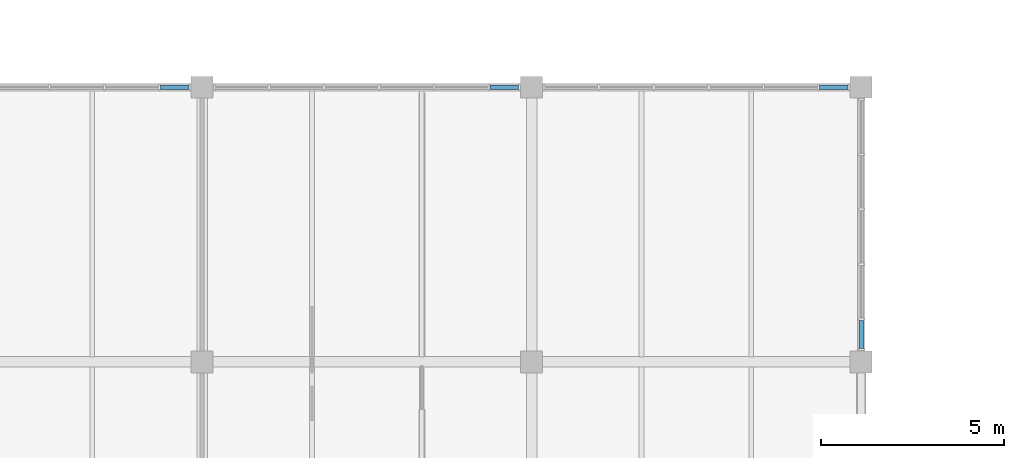
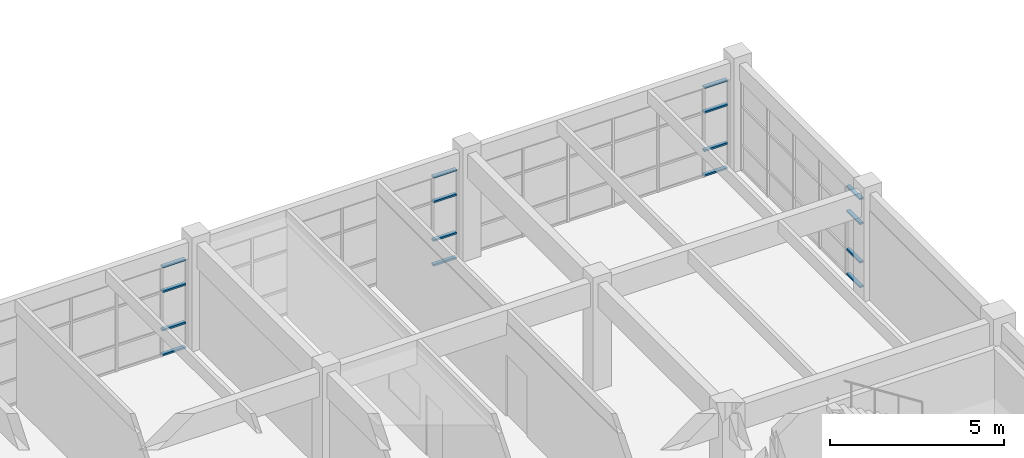
# One storey, part 43 of 76: 16 members, 4 elements without a shape of their own.
"""IFC4 building model written with IfcOpenShell, lengths in metres."""

from ifc_helpers import new_model, si_unit, direction, frame, origin, origin_2d, place, context, subcontext, project, spatial, rectangle, extrude, material, layer, layer_set, material_profile, profile_set, type_object, element, aggregate, save


model = new_model("IFC4")

# Units and contexts
model_context = context("Model", 3, precision=1e-05, world=origin(), true_north=direction((0.0, 1.0)))
body_context = subcontext(model_context, "Body", "Model", "MODEL_VIEW")
ifc_project = project(units=[si_unit("LENGTHUNIT", "METRE"), si_unit("AREAUNIT", "SQUARE_METRE"), si_unit("VOLUMEUNIT", "CUBIC_METRE"), si_unit("PLANEANGLEUNIT", "RADIAN"), si_unit("MASSUNIT", "GRAM", prefix="KILO")], contexts=[model_context])

# Site, building, storey
site_placement = place(None, origin())
site = spatial("IfcSite", under=ifc_project, at=site_placement, CompositionType="ELEMENT")
building_placement = place(site_placement, origin())
building = spatial("IfcBuilding", under=site, at=building_placement, Name="Marnridge Secondary College", CompositionType="ELEMENT")
storey_placement = place(building_placement, frame((0.0, 0.0, 4.5)))
storey = spatial("IfcBuildingStorey", under=building, at=storey_placement, Name="L01", CompositionType="ELEMENT", Elevation=4.5)

# Curtain wall, members
ifc_material_1 = material(Name="Thermally broken aluminium and low-E glazing", Category="aluminium")
ifc_layer = layer(ifc_material_1, 0.159912109375)
ifc_layer_set = layer_set([ifc_layer], Name="CW-MOD-1500")
curtain_wall_type = type_object("IfcCurtainWallType", Name="CW-MOD-1500", PredefinedType="NOTDEFINED", material=ifc_layer_set)
curtain_wall_1_placement = place(storey_placement, origin())
curtain_wall_1 = element("IfcCurtainWall", 1, at=curtain_wall_1_placement, inside=storey, type_object=curtain_wall_type, Name="Unitised curtain wall CW-L01-029", PredefinedType="NOTDEFINED")
ifc_material_2 = material(Name="Anodised aluminium 6063-T6", Category="aluminium")
ifc_material_profile = material_profile(ifc_material_2, rectangle(XDim=0.06005859375, YDim=0.1201171875, at=origin_2d()), Name="ALU 60x120")
ifc_profile_set = profile_set([ifc_material_profile], Name="Anodised aluminium 6063-T6")
member_type = type_object("IfcMemberType", Name="CWT-ALU120", PredefinedType="USERDEFINED", material=ifc_profile_set)
member_1_placement = place(storey_placement, frame((70.864013671875, 82.5, 0.030029296875), z_axis=(1.0, 0.0, 0.0), x_axis=(0.0, 0.0, 1.0)))
member_1 = element("IfcMember", 2, at=member_1_placement, type_object=member_type, Name="CW-L01-029 transom 6.1", ObjectType="TRANSOM", PredefinedType="USERDEFINED", context=body_context, shape_type="SweptSolid", body=[
    extrude(rectangle(XDim=0.06005859375, YDim=0.1201171875, at=origin_2d()), origin(), (0.0, 0.0, 1.0), 0.77197265625),
])
member_2_placement = place(storey_placement, frame((70.864013671875, 82.5, 0.89990234375), z_axis=(1.0, 0.0, 0.0), x_axis=(0.0, 0.0, 1.0)))
member_2 = element("IfcMember", 3, at=member_2_placement, type_object=member_type, Name="CW-L01-029 transom 6.2", ObjectType="TRANSOM", PredefinedType="USERDEFINED", context=body_context, shape_type="SweptSolid", body=[
    extrude(rectangle(XDim=0.06005859375, YDim=0.1201171875, at=origin_2d()), origin(), (0.0, 0.0, 1.0), 0.77197265625),
])
member_3_placement = place(storey_placement, frame((70.864013671875, 82.5, 2.25), z_axis=(1.0, 0.0, 0.0), x_axis=(0.0, 0.0, 1.0)))
member_3 = element("IfcMember", 4, at=member_3_placement, type_object=member_type, Name="CW-L01-029 transom 6.3", ObjectType="TRANSOM", PredefinedType="USERDEFINED", context=body_context, shape_type="SweptSolid", body=[
    extrude(rectangle(XDim=0.06005859375, YDim=0.1201171875, at=origin_2d()), origin(), (0.0, 0.0, 1.0), 0.77197265625),
])
member_4_placement = place(storey_placement, frame((70.864013671875, 82.5, 3.116943359375), z_axis=(1.0, 0.0, 0.0), x_axis=(0.0, 0.0, 1.0)))
member_4 = element("IfcMember", 5, at=member_4_placement, type_object=member_type, Name="CW-L01-029 transom 6.4", ObjectType="TRANSOM", PredefinedType="USERDEFINED", context=body_context, shape_type="SweptSolid", body=[
    extrude(rectangle(XDim=0.06005859375, YDim=0.1201171875, at=origin_2d()), origin(), (0.0, 0.0, 1.0), 0.77197265625),
])
aggregate(curtain_wall_1, [member_1, member_2, member_3, member_4])

curtain_wall_2_placement = place(storey_placement, origin())
curtain_wall_2 = element("IfcCurtainWall", 6, at=curtain_wall_2_placement, inside=storey, type_object=curtain_wall_type, Name="Unitised curtain wall CW-L01-030", PredefinedType="NOTDEFINED")
member_5_placement = place(storey_placement, frame((79.864013671875, 82.5, 0.030029296875), z_axis=(1.0, 0.0, 0.0), x_axis=(0.0, 0.0, 1.0)))
member_5 = element("IfcMember", 7, at=member_5_placement, type_object=member_type, Name="CW-L01-030 transom 6.1", ObjectType="TRANSOM", PredefinedType="USERDEFINED", context=body_context, shape_type="SweptSolid", body=[
    extrude(rectangle(XDim=0.06005859375, YDim=0.1201171875, at=origin_2d()), origin(), (0.0, 0.0, 1.0), 0.77197265625),
])
member_6_placement = place(storey_placement, frame((79.864013671875, 82.5, 0.89990234375), z_axis=(1.0, 0.0, 0.0), x_axis=(0.0, 0.0, 1.0)))
member_6 = element("IfcMember", 8, at=member_6_placement, type_object=member_type, Name="CW-L01-030 transom 6.2", ObjectType="TRANSOM", PredefinedType="USERDEFINED", context=body_context, shape_type="SweptSolid", body=[
    extrude(rectangle(XDim=0.06005859375, YDim=0.1201171875, at=origin_2d()), origin(), (0.0, 0.0, 1.0), 0.77197265625),
])
member_7_placement = place(storey_placement, frame((79.864013671875, 82.5, 2.25), z_axis=(1.0, 0.0, 0.0), x_axis=(0.0, 0.0, 1.0)))
member_7 = element("IfcMember", 9, at=member_7_placement, type_object=member_type, Name="CW-L01-030 transom 6.3", ObjectType="TRANSOM", PredefinedType="USERDEFINED", context=body_context, shape_type="SweptSolid", body=[
    extrude(rectangle(XDim=0.06005859375, YDim=0.1201171875, at=origin_2d()), origin(), (0.0, 0.0, 1.0), 0.77197265625),
])
member_8_placement = place(storey_placement, frame((79.864013671875, 82.5, 3.116943359375), z_axis=(1.0, 0.0, 0.0), x_axis=(0.0, 0.0, 1.0)))
member_8 = element("IfcMember", 10, at=member_8_placement, type_object=member_type, Name="CW-L01-030 transom 6.4", ObjectType="TRANSOM", PredefinedType="USERDEFINED", context=body_context, shape_type="SweptSolid", body=[
    extrude(rectangle(XDim=0.06005859375, YDim=0.1201171875, at=origin_2d()), origin(), (0.0, 0.0, 1.0), 0.77197265625),
])
aggregate(curtain_wall_2, [member_5, member_6, member_7, member_8])

curtain_wall_3_placement = place(storey_placement, origin())
curtain_wall_3 = element("IfcCurtainWall", 11, at=curtain_wall_3_placement, inside=storey, type_object=curtain_wall_type, Name="Unitised curtain wall CW-L01-031", PredefinedType="NOTDEFINED")
member_9_placement = place(storey_placement, frame((88.864013671875, 82.5, 0.030029296875), z_axis=(1.0, 0.0, 0.0), x_axis=(0.0, 0.0, 1.0)))
member_9 = element("IfcMember", 12, at=member_9_placement, type_object=member_type, Name="CW-L01-031 transom 6.1", ObjectType="TRANSOM", PredefinedType="USERDEFINED", context=body_context, shape_type="SweptSolid", body=[
    extrude(rectangle(XDim=0.06005859375, YDim=0.1201171875, at=origin_2d()), origin(), (0.0, 0.0, 1.0), 0.77197265625),
])
member_10_placement = place(storey_placement, frame((88.864013671875, 82.5, 0.89990234375), z_axis=(1.0, 0.0, 0.0), x_axis=(0.0, 0.0, 1.0)))
member_10 = element("IfcMember", 13, at=member_10_placement, type_object=member_type, Name="CW-L01-031 transom 6.2", ObjectType="TRANSOM", PredefinedType="USERDEFINED", context=body_context, shape_type="SweptSolid", body=[
    extrude(rectangle(XDim=0.06005859375, YDim=0.1201171875, at=origin_2d()), origin(), (0.0, 0.0, 1.0), 0.77197265625),
])
member_11_placement = place(storey_placement, frame((88.864013671875, 82.5, 2.25), z_axis=(1.0, 0.0, 0.0), x_axis=(0.0, 0.0, 1.0)))
member_11 = element("IfcMember", 14, at=member_11_placement, type_object=member_type, Name="CW-L01-031 transom 6.3", ObjectType="TRANSOM", PredefinedType="USERDEFINED", context=body_context, shape_type="SweptSolid", body=[
    extrude(rectangle(XDim=0.06005859375, YDim=0.1201171875, at=origin_2d()), origin(), (0.0, 0.0, 1.0), 0.77197265625),
])
member_12_placement = place(storey_placement, frame((88.864013671875, 82.5, 3.116943359375), z_axis=(1.0, 0.0, 0.0), x_axis=(0.0, 0.0, 1.0)))
member_12 = element("IfcMember", 15, at=member_12_placement, type_object=member_type, Name="CW-L01-031 transom 6.4", ObjectType="TRANSOM", PredefinedType="USERDEFINED", context=body_context, shape_type="SweptSolid", body=[
    extrude(rectangle(XDim=0.06005859375, YDim=0.1201171875, at=origin_2d()), origin(), (0.0, 0.0, 1.0), 0.77197265625),
])
aggregate(curtain_wall_3, [member_9, member_10, member_11, member_12])

curtain_wall_4_placement = place(storey_placement, origin())
curtain_wall_4 = element("IfcCurtainWall", 16, at=curtain_wall_4_placement, inside=storey, type_object=curtain_wall_type, Name="Unitised curtain wall CW-L01-032", PredefinedType="NOTDEFINED")
member_13_placement = place(storey_placement, frame((90.0, 76.135986328125, 0.030029296875), z_axis=(0.0, -1.0, 0.0), x_axis=(0.0, 0.0, 1.0)))
member_13 = element("IfcMember", 17, at=member_13_placement, type_object=member_type, Name="CW-L01-032 transom 5.1", ObjectType="TRANSOM", PredefinedType="USERDEFINED", context=body_context, shape_type="SweptSolid", body=[
    extrude(rectangle(XDim=0.06005859375, YDim=0.1201171875, at=origin_2d()), origin(), (0.0, 0.0, 1.0), 0.77197265625),
])
member_14_placement = place(storey_placement, frame((90.0, 76.135986328125, 0.89990234375), z_axis=(0.0, -1.0, 0.0), x_axis=(0.0, 0.0, 1.0)))
member_14 = element("IfcMember", 18, at=member_14_placement, type_object=member_type, Name="CW-L01-032 transom 5.2", ObjectType="TRANSOM", PredefinedType="USERDEFINED", context=body_context, shape_type="SweptSolid", body=[
    extrude(rectangle(XDim=0.06005859375, YDim=0.1201171875, at=origin_2d()), origin(), (0.0, 0.0, 1.0), 0.77197265625),
])
member_15_placement = place(storey_placement, frame((90.0, 76.135986328125, 2.25), z_axis=(0.0, -1.0, 0.0), x_axis=(0.0, 0.0, 1.0)))
member_15 = element("IfcMember", 19, at=member_15_placement, type_object=member_type, Name="CW-L01-032 transom 5.3", ObjectType="TRANSOM", PredefinedType="USERDEFINED", context=body_context, shape_type="SweptSolid", body=[
    extrude(rectangle(XDim=0.06005859375, YDim=0.1201171875, at=origin_2d()), origin(), (0.0, 0.0, 1.0), 0.77197265625),
])
member_16_placement = place(storey_placement, frame((90.0, 76.135986328125, 3.116943359375), z_axis=(0.0, -1.0, 0.0), x_axis=(0.0, 0.0, 1.0)))
member_16 = element("IfcMember", 20, at=member_16_placement, type_object=member_type, Name="CW-L01-032 transom 5.4", ObjectType="TRANSOM", PredefinedType="USERDEFINED", context=body_context, shape_type="SweptSolid", body=[
    extrude(rectangle(XDim=0.06005859375, YDim=0.1201171875, at=origin_2d()), origin(), (0.0, 0.0, 1.0), 0.77197265625),
])
aggregate(curtain_wall_4, [member_13, member_14, member_15, member_16])

save(model, "model.ifc")
